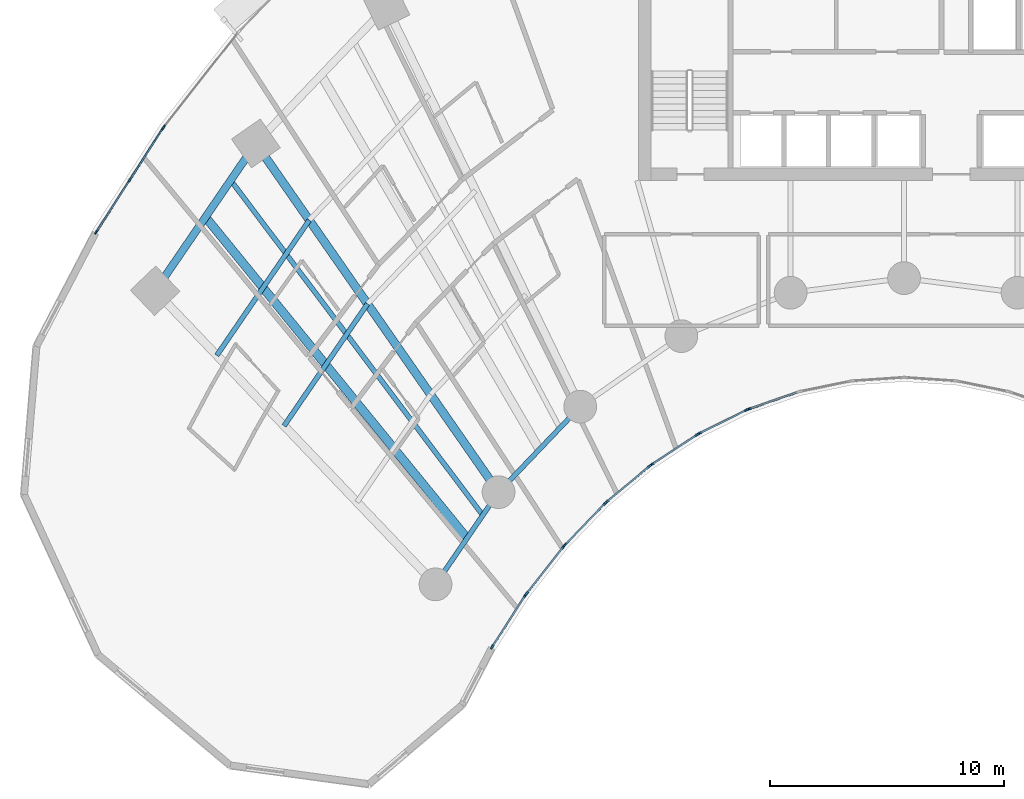
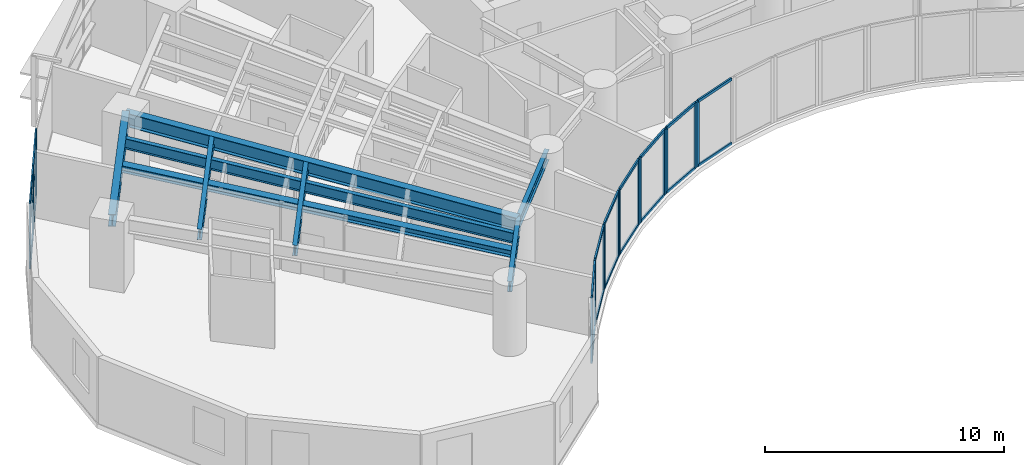
# One storey, part 2 of 18: 37 members, 8 beams, 9 elements without a shape of their own.
"""IFC4 building model written with IfcOpenShell, lengths in metres."""

from ifc_helpers import new_model, si_unit, direction, frame, origin, origin_2d, place, context, subcontext, project, spatial, rectangle, i_section, extrude, source, transform, mapped, material, layer, layer_set, material_profile, profile_set, type_object, type_shapes, element, aggregate, save


model = new_model("IFC4")

# Units and contexts
model_context = context("Model", 3, precision=1e-05, world=origin(), true_north=direction((0.0, 1.0)))
body_context = subcontext(model_context, "Body", "Model", "MODEL_VIEW")
ifc_project = project(units=[si_unit("LENGTHUNIT", "METRE"), si_unit("AREAUNIT", "SQUARE_METRE"), si_unit("VOLUMEUNIT", "CUBIC_METRE"), si_unit("PLANEANGLEUNIT", "RADIAN"), si_unit("MASSUNIT", "GRAM", prefix="KILO")], contexts=[model_context])

# Site, building, storey
site_placement = place(None, origin())
site = spatial("IfcSite", under=ifc_project, at=site_placement, CompositionType="ELEMENT")
building_placement = place(site_placement, origin())
building = spatial("IfcBuilding", under=site, at=building_placement, Name="Breltana Convention Tower", CompositionType="ELEMENT")
storey_placement = place(building_placement, frame((0.0, 0.0, 42.60009765625)))
storey = spatial("IfcBuildingStorey", under=building, at=storey_placement, Name="L08", CompositionType="ELEMENT", Elevation=42.60009765625)

# Beams
ifc_material_1 = material(Name="Steel ASTM A992 Grade 50", Category="steel")
ifc_material_profile_1 = material_profile(ifc_material_1, i_section(OverallWidth=0.323974609375, OverallDepth=0.611083984375, WebThickness=0.0126953125, FlangeThickness=0.01904296875, at=origin_2d()), Name="W24X104")
ifc_profile_set_1 = profile_set([ifc_material_profile_1], Name="Steel ASTM A992 Grade 50")
beam_type_1 = type_object("IfcBeamType", Name="BM-SP-W24X104", PredefinedType="SPANDREL", material=ifc_profile_set_1)
shared_shape_1 = source(origin(), body_context, "Body", "SweptSolid", [
    extrude(i_section(OverallWidth=0.323974609375, OverallDepth=0.611083984375, WebThickness=0.0126953125, FlangeThickness=0.01904296875, at=origin_2d()), origin(), (0.0, 0.0, 1.0), 7.625),
])
type_shapes(beam_type_1, [shared_shape_1])
beam_1_placement = place(storey_placement, frame((16.0068359375, 55.494384765625, 3.054443359375), z_axis=(0.564452031902, 0.825465870694, 0.0), x_axis=(-0.825465870694, 0.564452031902, 0.0)))
element("IfcBeam", 1, at=beam_1_placement, inside=storey, type_object=beam_type_1, Name="L08 Outer Spandrel Beam 01", PredefinedType="SPANDREL", context=body_context, shape_type="MappedRepresentation", body=[
    mapped(shared_shape_1, transform((0.0, 0.0, 0.0), scale=1.0)),
])
ifc_material_profile_2 = material_profile(ifc_material_1, i_section(OverallWidth=0.35498046875, OverallDepth=0.696044921875, WebThickness=0.015380859375, FlangeThickness=0.02490234375, at=origin_2d()), Name="W27X146")
ifc_profile_set_2 = profile_set([ifc_material_profile_2], Name="Steel ASTM A992 Grade 50")
beam_type_2 = type_object("IfcBeamType", Name="BM-RG-W27X146", PredefinedType="USERDEFINED", material=ifc_profile_set_2)
shared_shape_2 = source(origin(), body_context, "Body", "SweptSolid", [
    extrude(i_section(OverallWidth=0.35498046875, OverallDepth=0.696044921875, WebThickness=0.015380859375, FlangeThickness=0.02490234375, at=origin_2d()), origin(), (0.0, 0.0, 1.0), 18.1484375),
])
beam_2_placement = place(storey_placement, frame((30.67724609375, 46.892333984375, 3.011962890625), z_axis=(-0.571207556098, 0.820805657788, 0.0), x_axis=(-0.820805657788, -0.571207556098, 0.0)))
element("IfcBeam", 2, at=beam_2_placement, inside=storey, type_object=beam_type_2, Name="L08 Radial Floor Girder R02", ObjectType="GIRDER", PredefinedType="USERDEFINED", context=body_context, shape_type="MappedRepresentation", body=[
    mapped(shared_shape_2, transform((0.0, 0.0, 0.0), scale=1.0)),
])
ifc_material_profile_3 = material_profile(ifc_material_1, i_section(OverallWidth=0.2099609375, OverallDepth=0.537109375, WebThickness=0.010986328125, FlangeThickness=0.017333984375, at=origin_2d()), Name="W21X68")
ifc_profile_set_3 = profile_set([ifc_material_profile_3], Name="Steel ASTM A992 Grade 50")
beam_type_3 = type_object("IfcBeamType", Name="BM-BM-W21X68", PredefinedType="BEAM", material=ifc_profile_set_3)
shared_shape_3 = source(origin(), body_context, "Body", "SweptSolid", [
    extrude(i_section(OverallWidth=0.2099609375, OverallDepth=0.537109375, WebThickness=0.010986328125, FlangeThickness=0.017333984375, at=origin_2d()), origin(), (0.0, 0.0, 1.0), 4.770263671875),
])
beam_3_placement = place(storey_placement, frame((27.984619140625, 42.95458984375, 3.09130859375), z_axis=(0.564452719055, 0.82546540082, 0.0), x_axis=(-0.82546540082, 0.564452719055, 0.0)))
element("IfcBeam", 3, at=beam_3_placement, inside=storey, type_object=beam_type_3, Name="L08 Inner Ring Beam 01", PredefinedType="BEAM", context=body_context, shape_type="MappedRepresentation", body=[
    mapped(shared_shape_3, transform((0.0, 0.0, 0.0), scale=1.0)),
])
shared_shape_4 = source(origin(), body_context, "Body", "SweptSolid", [
    extrude(i_section(OverallWidth=0.2099609375, OverallDepth=0.537109375, WebThickness=0.010986328125, FlangeThickness=0.017333984375, at=origin_2d()), origin(), (0.0, 0.0, 1.0), 5.05126953125),
])
beam_4_placement = place(storey_placement, frame((30.67724609375, 46.892333984375, 3.09130859375), z_axis=(0.690729753845, 0.7231129975, 0.0), x_axis=(-0.7231129975, 0.690729753845, 0.0)))
element("IfcBeam", 4, at=beam_4_placement, inside=storey, type_object=beam_type_3, Name="L08 Inner Ring Beam 02", PredefinedType="BEAM", context=body_context, shape_type="MappedRepresentation", body=[
    mapped(shared_shape_4, transform((0.0, 0.0, 0.0), scale=1.0)),
])
ifc_material_profile_4 = material_profile(ifc_material_1, i_section(OverallWidth=0.2099609375, OverallDepth=0.537109375, WebThickness=0.010986328125, FlangeThickness=0.017333984375, at=origin_2d()), Name="W21X68")
ifc_profile_set_4 = profile_set([ifc_material_profile_4], Name="Steel ASTM A992 Grade 50")
beam_type_4 = type_object("IfcBeamType", Name="BM-JSG-04", PredefinedType="JOIST", material=ifc_profile_set_4)
shared_shape_5 = source(origin(), body_context, "Body", "SweptSolid", [
    extrude(i_section(OverallWidth=0.2099609375, OverallDepth=0.537109375, WebThickness=0.010986328125, FlangeThickness=0.017333984375, at=origin_2d()), origin(), (0.0, 0.0, 1.0), 6.311767578125),
])
beam_5_placement = place(storey_placement, frame((21.5166015625, 49.72607421875, 3.09130859375), z_axis=(0.564453712577, 0.825464721449, 0.0), x_axis=(-0.825464721449, 0.564453712577, 0.0)))
element("IfcBeam", 5, at=beam_5_placement, inside=storey, type_object=beam_type_4, Name="L08 Composite Floor Joist 01.2", PredefinedType="JOIST", context=body_context, shape_type="MappedRepresentation", body=[
    mapped(shared_shape_5, transform((0.0, 0.0, 0.0), scale=1.0)),
])
shared_shape_6 = source(origin(), body_context, "Body", "SweptSolid", [
    extrude(i_section(OverallWidth=0.2099609375, OverallDepth=0.537109375, WebThickness=0.010986328125, FlangeThickness=0.017333984375, at=origin_2d()), origin(), (0.0, 0.0, 1.0), 6.997314453125),
])
beam_6_placement = place(storey_placement, frame((18.641845703125, 52.735595703125, 3.09130859375), z_axis=(0.564468756361, 0.825454434292, 0.0), x_axis=(-0.825454434292, 0.564468756361, 0.0)))
element("IfcBeam", 6, at=beam_6_placement, inside=storey, type_object=beam_type_4, Name="L08 Composite Floor Joist 01.3", PredefinedType="JOIST", context=body_context, shape_type="MappedRepresentation", body=[
    mapped(shared_shape_6, transform((0.0, 0.0, 0.0), scale=1.0)),
])
ifc_material_profile_5 = material_profile(ifc_material_1, i_section(OverallWidth=0.368896484375, OverallDepth=0.35595703125, WebThickness=0.01123046875, FlangeThickness=0.01806640625, at=origin_2d()), Name="W14X90")
ifc_profile_set_5 = profile_set([ifc_material_profile_5], Name="Steel ASTM A992 Grade 50")
beam_type_5 = type_object("IfcBeamType", Name="BM-JSG-09", PredefinedType="JOIST", material=ifc_profile_set_5)
shared_shape_7 = source(origin(), body_context, "Body", "SweptSolid", [
    extrude(i_section(OverallWidth=0.368896484375, OverallDepth=0.35595703125, WebThickness=0.01123046875, FlangeThickness=0.01806640625, at=origin_2d()), origin(), (0.0, 0.0, 1.0), 17.691650390625),
])
type_shapes(beam_type_5, [shared_shape_7])
beam_7_placement = place(storey_placement, frame((29.330810546875, 44.923583984375, 3.181884765625), z_axis=(-0.631476958478, 0.775394642044, 0.0), x_axis=(-0.775394642044, -0.631476958478, 0.0)))
element("IfcBeam", 7, at=beam_7_placement, inside=storey, type_object=beam_type_5, Name="L08 Mid-Bay Radial Trimmer 01", PredefinedType="JOIST", context=body_context, shape_type="MappedRepresentation", body=[
    mapped(shared_shape_7, transform((0.0, 0.0, 0.0), scale=1.0)),
])
shared_shape_8 = source(origin(), body_context, "Body", "SweptSolid", [
    extrude(i_section(OverallWidth=0.2099609375, OverallDepth=0.537109375, WebThickness=0.010986328125, FlangeThickness=0.017333984375, at=origin_2d()), origin(), (0.0, 0.0, 1.0), 17.9072265625),
])
beam_8_placement = place(storey_placement, frame((30.00390625, 45.907958984375, 3.09130859375), z_axis=(-0.601382105028, 0.798961553363, 0.0), x_axis=(-0.798961553363, -0.601382105028, 0.0)))
element("IfcBeam", 8, at=beam_8_placement, inside=storey, type_object=beam_type_4, Name="L08 Quarter-Bay Radial Trimmer 01", PredefinedType="JOIST", context=body_context, shape_type="MappedRepresentation", body=[
    mapped(shared_shape_8, transform((0.0, 0.0, 0.0), scale=1.0)),
])

# Curtain wall, members
ifc_material_2 = material(Name="Aluminium Anodised Bronze Frame", Category="aluminium")
ifc_layer_1 = layer(ifc_material_2, 0.18994140625, Name="Aluminium Anodised Bronze Frame")
ifc_layer_set_1 = layer_set([ifc_layer_1], Name="Aluminium Anodised Bronze Frame")
curtain_wall_type_1 = type_object("IfcCurtainWallType", Name="CW-SYS-1", PredefinedType="NOTDEFINED", material=ifc_layer_set_1)
curtain_wall_1_placement = place(storey_placement, origin())
curtain_wall_1 = element("IfcCurtainWall", 9, at=curtain_wall_1_placement, inside=storey, type_object=curtain_wall_type_1, Name="L08 inner south-court glazing 16", PredefinedType="NOTDEFINED")
ifc_material_3 = material(Name="Aluminium Anodised Bronze", Category="aluminium")
ifc_material_profile_6 = material_profile(ifc_material_3, rectangle(XDim=0.080078125, YDim=0.139892578125, at=origin_2d()), Name="CWT-80X140")
ifc_profile_set_6 = profile_set([ifc_material_profile_6], Name="Aluminium Anodised Bronze")
member_type_1 = type_object("IfcMemberType", Name="CWT-140", PredefinedType="USERDEFINED", material=ifc_profile_set_6)
shared_shape_9 = source(origin(), body_context, "Body", "SweptSolid", [
    extrude(rectangle(XDim=0.080078125, YDim=0.139892578125, at=origin_2d()), origin(), (0.0, 0.0, 1.0), 2.38720703125),
])
type_shapes(member_type_1, [shared_shape_9])
member_1_placement = place(storey_placement, frame((35.2021484375, 46.385009765625, 0.039794921875), z_axis=(-0.694623715393, -0.719373264734, 0.0), x_axis=(0.719373264734, -0.694623715393, 0.0)))
member_1 = element("IfcMember", 10, at=member_1_placement, type_object=member_type_1, Name="CW-01 transom 1.1", ObjectType="TRANSOM", PredefinedType="USERDEFINED", context=body_context, shape_type="MappedRepresentation", body=[
    mapped(shared_shape_9, transform((0.0, 0.0, 0.0), scale=1.0)),
])
member_2_placement = place(storey_placement, frame((35.2021484375, 46.385009765625, 3.31982421875), z_axis=(-0.694623715393, -0.719373264734, 0.0), x_axis=(0.719373264734, -0.694623715393, 0.0)))
member_2 = element("IfcMember", 11, at=member_2_placement, type_object=member_type_1, Name="CW-01 transom 1.2", ObjectType="TRANSOM", PredefinedType="USERDEFINED", context=body_context, shape_type="MappedRepresentation", body=[
    mapped(shared_shape_9, transform((0.0, 0.0, 0.0), scale=1.0)),
])

curtain_wall_2_placement = place(storey_placement, origin())
curtain_wall_2 = element("IfcCurtainWall", 12, at=curtain_wall_2_placement, inside=storey, type_object=curtain_wall_type_1, Name="L08 inner south-court glazing 15", PredefinedType="NOTDEFINED")
shared_shape_10 = source(origin(), body_context, "Body", "SweptSolid", [
    extrude(rectangle(XDim=0.080078125, YDim=0.139892578125, at=origin_2d()), origin(), (0.0, 0.0, 1.0), 2.312255859375),
])
member_3_placement = place(storey_placement, frame((37.10888671875, 47.988037109375, 0.039794921875), z_axis=(-0.767900974507, -0.640568570374, 0.0), x_axis=(0.640568570374, -0.767900974507, 0.0)))
member_3 = element("IfcMember", 13, at=member_3_placement, type_object=member_type_1, Name="CW-01 transom 1.1", ObjectType="TRANSOM", PredefinedType="USERDEFINED", context=body_context, shape_type="MappedRepresentation", body=[
    mapped(shared_shape_10, transform((0.0, 0.0, 0.0), scale=1.0)),
])
member_4_placement = place(storey_placement, frame((37.10888671875, 47.988037109375, 3.31982421875), z_axis=(-0.767900974507, -0.640568570374, 0.0), x_axis=(0.640568570374, -0.767900974507, 0.0)))
member_4 = element("IfcMember", 14, at=member_4_placement, type_object=member_type_1, Name="CW-01 transom 1.2", ObjectType="TRANSOM", PredefinedType="USERDEFINED", context=body_context, shape_type="MappedRepresentation", body=[
    mapped(shared_shape_10, transform((0.0, 0.0, 0.0), scale=1.0)),
])

curtain_wall_3_placement = place(storey_placement, origin())
curtain_wall_3 = element("IfcCurtainWall", 15, at=curtain_wall_3_placement, inside=storey, type_object=curtain_wall_type_1, Name="L08 inner south-court glazing 14", PredefinedType="NOTDEFINED")
shared_shape_11 = source(origin(), body_context, "Body", "SweptSolid", [
    extrude(rectangle(XDim=0.080078125, YDim=0.139892578125, at=origin_2d()), origin(), (0.0, 0.0, 1.0), 2.2421875),
])
member_5_placement = place(storey_placement, frame((39.128173828125, 49.325927734375, 0.039794921875), z_axis=(-0.835982353773, -0.548756324957, 0.0), x_axis=(0.548756324957, -0.835982353773, 0.0)))
member_5 = element("IfcMember", 16, at=member_5_placement, type_object=member_type_1, Name="CW-01 transom 1.1", ObjectType="TRANSOM", PredefinedType="USERDEFINED", context=body_context, shape_type="MappedRepresentation", body=[
    mapped(shared_shape_11, transform((0.0, 0.0, 0.0), scale=1.0)),
])
member_6_placement = place(storey_placement, frame((39.128173828125, 49.325927734375, 3.31982421875), z_axis=(-0.835982353773, -0.548756324957, 0.0), x_axis=(0.548756324957, -0.835982353773, 0.0)))
member_6 = element("IfcMember", 17, at=member_6_placement, type_object=member_type_1, Name="CW-01 transom 1.2", ObjectType="TRANSOM", PredefinedType="USERDEFINED", context=body_context, shape_type="MappedRepresentation", body=[
    mapped(shared_shape_11, transform((0.0, 0.0, 0.0), scale=1.0)),
])

curtain_wall_4_placement = place(storey_placement, origin())
curtain_wall_4 = element("IfcCurtainWall", 18, at=curtain_wall_4_placement, inside=storey, type_object=curtain_wall_type_1, Name="L08 inner south-court glazing 13", PredefinedType="NOTDEFINED")
shared_shape_12 = source(origin(), body_context, "Body", "SweptSolid", [
    extrude(rectangle(XDim=0.080078125, YDim=0.139892578125, at=origin_2d()), origin(), (0.0, 0.0, 1.0), 2.180908203125),
])
member_7_placement = place(storey_placement, frame((41.239501953125, 50.384765625, 0.039794921875), z_axis=(-0.895922266369, -0.444210865045, 0.0), x_axis=(0.444210865045, -0.895922266369, 0.0)))
member_7 = element("IfcMember", 19, at=member_7_placement, type_object=member_type_1, Name="CW-01 transom 1.1", ObjectType="TRANSOM", PredefinedType="USERDEFINED", context=body_context, shape_type="MappedRepresentation", body=[
    mapped(shared_shape_12, transform((0.0, 0.0, 0.0), scale=1.0)),
])
member_8_placement = place(storey_placement, frame((41.239501953125, 50.384765625, 3.31982421875), z_axis=(-0.895922266369, -0.444210865045, 0.0), x_axis=(0.444210865045, -0.895922266369, 0.0)))
member_8 = element("IfcMember", 20, at=member_8_placement, type_object=member_type_1, Name="CW-01 transom 1.2", ObjectType="TRANSOM", PredefinedType="USERDEFINED", context=body_context, shape_type="MappedRepresentation", body=[
    mapped(shared_shape_12, transform((0.0, 0.0, 0.0), scale=1.0)),
])

curtain_wall_5_placement = place(storey_placement, origin())
curtain_wall_5 = element("IfcCurtainWall", 21, at=curtain_wall_5_placement, inside=storey, type_object=curtain_wall_type_1, Name="L08 inner south-court glazing 17", PredefinedType="NOTDEFINED")
shared_shape_13 = source(origin(), body_context, "Body", "SweptSolid", [
    extrude(rectangle(XDim=0.080078125, YDim=0.139892578125, at=origin_2d()), origin(), (0.0, 0.0, 1.0), 2.4638671875),
])
member_9_placement = place(storey_placement, frame((33.427001953125, 44.533447265625, 0.039794921875), z_axis=(-0.618184689608, -0.786032880695, 0.0), x_axis=(0.786032880695, -0.618184689608, 0.0)))
member_9 = element("IfcMember", 22, at=member_9_placement, type_object=member_type_1, Name="CW-01 transom 1.1", ObjectType="TRANSOM", PredefinedType="USERDEFINED", context=body_context, shape_type="MappedRepresentation", body=[
    mapped(shared_shape_13, transform((0.0, 0.0, 0.0), scale=1.0)),
])
member_10_placement = place(storey_placement, frame((33.427001953125, 44.533447265625, 3.31982421875), z_axis=(-0.618184689608, -0.786032880695, 0.0), x_axis=(0.786032880695, -0.618184689608, 0.0)))
member_10 = element("IfcMember", 23, at=member_10_placement, type_object=member_type_1, Name="CW-01 transom 1.2", ObjectType="TRANSOM", PredefinedType="USERDEFINED", context=body_context, shape_type="MappedRepresentation", body=[
    mapped(shared_shape_13, transform((0.0, 0.0, 0.0), scale=1.0)),
])

curtain_wall_6_placement = place(storey_placement, origin())
curtain_wall_6 = element("IfcCurtainWall", 24, at=curtain_wall_6_placement, inside=storey, type_object=curtain_wall_type_1, Name="L08 inner south-court glazing 18", PredefinedType="NOTDEFINED")
shared_shape_14 = source(origin(), body_context, "Body", "SweptSolid", [
    extrude(rectangle(XDim=0.080078125, YDim=0.139892578125, at=origin_2d()), origin(), (0.0, 0.0, 1.0), 2.53955078125),
])
member_11_placement = place(storey_placement, frame((31.801025390625, 42.452392578125, 0.039794921875), z_axis=(-0.540174413174, -0.841553090038, 0.0), x_axis=(0.841553090038, -0.540174413174, 0.0)))
member_11 = element("IfcMember", 25, at=member_11_placement, type_object=member_type_1, Name="CW-01 transom 1.1", ObjectType="TRANSOM", PredefinedType="USERDEFINED", context=body_context, shape_type="MappedRepresentation", body=[
    mapped(shared_shape_14, transform((0.0, 0.0, 0.0), scale=1.0)),
])
member_12_placement = place(storey_placement, frame((31.801025390625, 42.452392578125, 3.31982421875), z_axis=(-0.540174413174, -0.841553090038, 0.0), x_axis=(0.841553090038, -0.540174413174, 0.0)))
member_12 = element("IfcMember", 26, at=member_12_placement, type_object=member_type_1, Name="CW-01 transom 1.2", ObjectType="TRANSOM", PredefinedType="USERDEFINED", context=body_context, shape_type="MappedRepresentation", body=[
    mapped(shared_shape_14, transform((0.0, 0.0, 0.0), scale=1.0)),
])

curtain_wall_7_placement = place(storey_placement, origin())
curtain_wall_7 = element("IfcCurtainWall", 27, at=curtain_wall_7_placement, inside=storey, type_object=curtain_wall_type_1, Name="L08 inner south-court glazing 12", PredefinedType="NOTDEFINED")
shared_shape_15 = source(origin(), body_context, "Body", "SweptSolid", [
    extrude(rectangle(XDim=0.080078125, YDim=0.139892578125, at=origin_2d()), origin(), (0.0, 0.0, 1.0), 2.131103515625),
])
member_13_placement = place(storey_placement, frame((43.421630859375, 51.153076171875, 0.039794921875), z_axis=(-0.944847069856, -0.327511854112, 0.0), x_axis=(0.327511854112, -0.944847069856, 0.0)))
member_13 = element("IfcMember", 28, at=member_13_placement, type_object=member_type_1, Name="CW-01 transom 1.1", ObjectType="TRANSOM", PredefinedType="USERDEFINED", context=body_context, shape_type="MappedRepresentation", body=[
    mapped(shared_shape_15, transform((0.0, 0.0, 0.0), scale=1.0)),
])
member_14_placement = place(storey_placement, frame((43.421630859375, 51.153076171875, 3.31982421875), z_axis=(-0.944847069856, -0.327511854112, 0.0), x_axis=(0.327511854112, -0.944847069856, 0.0)))
member_14 = element("IfcMember", 29, at=member_14_placement, type_object=member_type_1, Name="CW-01 transom 1.2", ObjectType="TRANSOM", PredefinedType="USERDEFINED", context=body_context, shape_type="MappedRepresentation", body=[
    mapped(shared_shape_15, transform((0.0, 0.0, 0.0), scale=1.0)),
])

ifc_layer_2 = layer(ifc_material_2, 0.199951171875, Name="Aluminium Anodised Bronze Frame")
ifc_layer_set_2 = layer_set([ifc_layer_2], Name="Aluminium Anodised Bronze Frame")
curtain_wall_type_2 = type_object("IfcCurtainWallType", Name="CW-SYS-2", PredefinedType="NOTDEFINED", material=ifc_layer_set_2)
curtain_wall_8_placement = place(storey_placement, origin())
curtain_wall_8 = element("IfcCurtainWall", 30, at=curtain_wall_8_placement, inside=storey, type_object=curtain_wall_type_2, Name="L08 outer double-skin inner glazing 1", PredefinedType="NOTDEFINED")
ifc_material_profile_7 = material_profile(ifc_material_3, rectangle(XDim=0.070068359375, YDim=0.1201171875, at=origin_2d()), Name="CWT-70X120")
ifc_profile_set_7 = profile_set([ifc_material_profile_7], Name="Aluminium Anodised Bronze")
member_type_2 = type_object("IfcMemberType", Name="CWT-120", PredefinedType="USERDEFINED", material=ifc_profile_set_7)
shared_shape_16 = source(origin(), body_context, "Body", "SweptSolid", [
    extrude(rectangle(XDim=0.070068359375, YDim=0.1201171875, at=origin_2d()), origin(), (0.0, 0.0, 1.0), 2.56787109375),
])
type_shapes(member_type_2, [shared_shape_16])
member_15_placement = place(storey_placement, frame((13.505859375, 58.0234375, 0.034912109375), z_axis=(0.54022409371, 0.841521199124, 0.0), x_axis=(-0.841521199124, 0.54022409371, 0.0)))
member_15 = element("IfcMember", 31, at=member_15_placement, type_object=member_type_2, Name="CW-02 transom 1.1", ObjectType="TRANSOM", PredefinedType="USERDEFINED", context=body_context, shape_type="MappedRepresentation", body=[
    mapped(shared_shape_16, transform((0.0, 0.0, 0.0), scale=1.0)),
])
member_16_placement = place(storey_placement, frame((13.505859375, 58.0234375, 2.183837890625), z_axis=(0.54022409371, 0.841521199124, 0.0), x_axis=(-0.841521199124, 0.54022409371, 0.0)))
member_16 = element("IfcMember", 32, at=member_16_placement, type_object=member_type_2, Name="CW-02 transom 1.2", ObjectType="TRANSOM", PredefinedType="USERDEFINED", context=body_context, shape_type="MappedRepresentation", body=[
    mapped(shared_shape_16, transform((0.0, 0.0, 0.0), scale=1.0)),
])
member_17_placement = place(storey_placement, frame((13.505859375, 58.0234375, 3.324951171875), z_axis=(0.54022409371, 0.841521199124, 0.0), x_axis=(-0.841521199124, 0.54022409371, 0.0)))
member_17 = element("IfcMember", 33, at=member_17_placement, type_object=member_type_2, Name="CW-02 transom 1.3", ObjectType="TRANSOM", PredefinedType="USERDEFINED", context=body_context, shape_type="MappedRepresentation", body=[
    mapped(shared_shape_16, transform((0.0, 0.0, 0.0), scale=1.0)),
])
member_18_placement = place(storey_placement, frame((14.930908203125, 60.2431640625, 0.034912109375), z_axis=(0.540113540427, 0.841592159806, 0.0), x_axis=(-0.841592159806, 0.540113540427, 0.0)))
member_18 = element("IfcMember", 34, at=member_18_placement, type_object=member_type_2, Name="CW-02 transom 2.1", ObjectType="TRANSOM", PredefinedType="USERDEFINED", context=body_context, shape_type="MappedRepresentation", body=[
    mapped(shared_shape_16, transform((0.0, 0.0, 0.0), scale=1.0)),
])
member_19_placement = place(storey_placement, frame((14.930908203125, 60.2431640625, 2.183837890625), z_axis=(0.540113540427, 0.841592159806, 0.0), x_axis=(-0.841592159806, 0.540113540427, 0.0)))
member_19 = element("IfcMember", 35, at=member_19_placement, type_object=member_type_2, Name="CW-02 transom 2.2", ObjectType="TRANSOM", PredefinedType="USERDEFINED", context=body_context, shape_type="MappedRepresentation", body=[
    mapped(shared_shape_16, transform((0.0, 0.0, 0.0), scale=1.0)),
])
member_20_placement = place(storey_placement, frame((14.930908203125, 60.2431640625, 3.324951171875), z_axis=(0.540113540427, 0.841592159806, 0.0), x_axis=(-0.841592159806, 0.540113540427, 0.0)))
member_20 = element("IfcMember", 36, at=member_20_placement, type_object=member_type_2, Name="CW-02 transom 2.3", ObjectType="TRANSOM", PredefinedType="USERDEFINED", context=body_context, shape_type="MappedRepresentation", body=[
    mapped(shared_shape_16, transform((0.0, 0.0, 0.0), scale=1.0)),
])

# Member
ifc_material_profile_8 = material_profile(ifc_material_3, rectangle(XDim=0.080078125, YDim=0.199951171875, at=origin_2d()), Name="CWM-80X200")
ifc_profile_set_8 = profile_set([ifc_material_profile_8], Name="Aluminium Anodised Bronze")
member_type_3 = type_object("IfcMemberType", Name="CWM-200", PredefinedType="MULLION", material=ifc_profile_set_8)
shared_shape_17 = source(origin(), body_context, "Body", "SweptSolid", [
    extrude(rectangle(XDim=0.080078125, YDim=0.199951171875, at=origin_2d()), origin(), (0.0, 0.0, 1.0), 3.35986328125),
])
member_21_placement = place(storey_placement, frame((41.3701171875, 50.442138671875, 0.0), z_axis=(0.0, 0.0, 1.0), x_axis=(0.327413341714, -0.944881211406, 0.0)))
member_21 = element("IfcMember", 37, at=member_21_placement, type_object=member_type_3, Name="CW-01 mullion 2", PredefinedType="MULLION", context=body_context, shape_type="MappedRepresentation", body=[
    mapped(shared_shape_17, transform((0.0, 0.0, 0.0), scale=1.0)),
])

aggregate(curtain_wall_7, [member_21, member_13, member_14])

member_22_placement = place(storey_placement, frame((41.275390625, 50.40234375, 0.0), z_axis=(0.0, 0.0, 1.0), x_axis=(0.444117987602, -0.895968310315, 0.0)))
member_22 = element("IfcMember", 38, at=member_22_placement, type_object=member_type_3, Name="CW-01 mullion 1", PredefinedType="MULLION", context=body_context, shape_type="MappedRepresentation", body=[
    mapped(shared_shape_17, transform((0.0, 0.0, 0.0), scale=1.0)),
])

member_23_placement = place(storey_placement, frame((39.249755859375, 49.3984375, 0.0), z_axis=(0.0, 0.0, 1.0), x_axis=(0.444117987602, -0.895968310315, 0.0)))
member_23 = element("IfcMember", 39, at=member_23_placement, type_object=member_type_3, Name="CW-01 mullion 2", PredefinedType="MULLION", context=body_context, shape_type="MappedRepresentation", body=[
    mapped(shared_shape_17, transform((0.0, 0.0, 0.0), scale=1.0)),
])

aggregate(curtain_wall_4, [member_22, member_23, member_7, member_8])

member_24_placement = place(storey_placement, frame((39.16162109375, 49.347900390625, 0.0), z_axis=(0.0, 0.0, 1.0), x_axis=(0.548778278441, -0.835967942634, 0.0)))
member_24 = element("IfcMember", 40, at=member_24_placement, type_object=member_type_3, Name="CW-01 mullion 1", PredefinedType="MULLION", context=body_context, shape_type="MappedRepresentation", body=[
    mapped(shared_shape_17, transform((0.0, 0.0, 0.0), scale=1.0)),
])

member_25_placement = place(storey_placement, frame((37.220458984375, 48.073486328125, 0.0), z_axis=(0.0, 0.0, 1.0), x_axis=(0.548778278441, -0.835967942634, 0.0)))
member_25 = element("IfcMember", 41, at=member_25_placement, type_object=member_type_3, Name="CW-01 mullion 2", PredefinedType="MULLION", context=body_context, shape_type="MappedRepresentation", body=[
    mapped(shared_shape_17, transform((0.0, 0.0, 0.0), scale=1.0)),
])

aggregate(curtain_wall_3, [member_24, member_25, member_5, member_6])

member_26_placement = place(storey_placement, frame((37.1396484375, 48.013671875, 0.0), z_axis=(0.0, 0.0, 1.0), x_axis=(0.640522524458, -0.767939382804, 0.0)))
member_26 = element("IfcMember", 42, at=member_26_placement, type_object=member_type_3, Name="CW-01 mullion 1", PredefinedType="MULLION", context=body_context, shape_type="MappedRepresentation", body=[
    mapped(shared_shape_17, transform((0.0, 0.0, 0.0), scale=1.0)),
])

member_27_placement = place(storey_placement, frame((35.302734375, 46.481201171875, 0.0), z_axis=(0.0, 0.0, 1.0), x_axis=(0.640522524458, -0.767939382804, 0.0)))
member_27 = element("IfcMember", 43, at=member_27_placement, type_object=member_type_3, Name="CW-01 mullion 2", PredefinedType="MULLION", context=body_context, shape_type="MappedRepresentation", body=[
    mapped(shared_shape_17, transform((0.0, 0.0, 0.0), scale=1.0)),
])

aggregate(curtain_wall_2, [member_26, member_27, member_3, member_4])

member_28_placement = place(storey_placement, frame((35.22998046875, 46.413818359375, 0.0), z_axis=(0.0, 0.0, 1.0), x_axis=(0.719384548773, -0.694612029111, 0.0)))
member_28 = element("IfcMember", 44, at=member_28_placement, type_object=member_type_3, Name="CW-01 mullion 1", PredefinedType="MULLION", context=body_context, shape_type="MappedRepresentation", body=[
    mapped(shared_shape_17, transform((0.0, 0.0, 0.0), scale=1.0)),
])

member_29_placement = place(storey_placement, frame((33.51611328125, 44.638916015625, 0.0), z_axis=(0.0, 0.0, 1.0), x_axis=(0.719384548773, -0.694612029111, 0.0)))
member_29 = element("IfcMember", 45, at=member_29_placement, type_object=member_type_3, Name="CW-01 mullion 2", PredefinedType="MULLION", context=body_context, shape_type="MappedRepresentation", body=[
    mapped(shared_shape_17, transform((0.0, 0.0, 0.0), scale=1.0)),
])

aggregate(curtain_wall_1, [member_28, member_29, member_1, member_2])

member_30_placement = place(storey_placement, frame((33.45166015625, 44.56494140625, 0.0), z_axis=(0.0, 0.0, 1.0), x_axis=(0.786057762734, -0.61815305034, 0.0)))
member_30 = element("IfcMember", 46, at=member_30_placement, type_object=member_type_3, Name="CW-01 mullion 1", PredefinedType="MULLION", context=body_context, shape_type="MappedRepresentation", body=[
    mapped(shared_shape_17, transform((0.0, 0.0, 0.0), scale=1.0)),
])

member_31_placement = place(storey_placement, frame((31.87890625, 42.565185546875, 0.0), z_axis=(0.0, 0.0, 1.0), x_axis=(0.786057762734, -0.61815305034, 0.0)))
member_31 = element("IfcMember", 47, at=member_31_placement, type_object=member_type_3, Name="CW-01 mullion 2", PredefinedType="MULLION", context=body_context, shape_type="MappedRepresentation", body=[
    mapped(shared_shape_17, transform((0.0, 0.0, 0.0), scale=1.0)),
])

aggregate(curtain_wall_5, [member_30, member_31, member_9, member_10])

member_32_placement = place(storey_placement, frame((31.82275390625, 42.48583984375, 0.0), z_axis=(0.0, 0.0, 1.0), x_axis=(0.841556194767, -0.540169576197, 0.0)))
member_32 = element("IfcMember", 48, at=member_32_placement, type_object=member_type_3, Name="CW-01 mullion 1", PredefinedType="MULLION", context=body_context, shape_type="MappedRepresentation", body=[
    mapped(shared_shape_17, transform((0.0, 0.0, 0.0), scale=1.0)),
])

member_33_placement = place(storey_placement, frame((30.40771484375, 40.281494140625, 0.0), z_axis=(0.0, 0.0, 1.0), x_axis=(0.841556194767, -0.540169576197, 0.0)))
member_33 = element("IfcMember", 49, at=member_33_placement, type_object=member_type_3, Name="CW-01 mullion 2", PredefinedType="MULLION", context=body_context, shape_type="MappedRepresentation", body=[
    mapped(shared_shape_17, transform((0.0, 0.0, 0.0), scale=1.0)),
])

aggregate(curtain_wall_6, [member_32, member_33, member_11, member_12])

ifc_material_profile_9 = material_profile(ifc_material_3, rectangle(XDim=0.070068359375, YDim=0.175048828125, at=origin_2d()), Name="CWM-70X175")
ifc_profile_set_9 = profile_set([ifc_material_profile_9], Name="Aluminium Anodised Bronze")
member_type_4 = type_object("IfcMemberType", Name="CWM-175", PredefinedType="MULLION", material=ifc_profile_set_9)
shared_shape_18 = source(origin(), body_context, "Body", "SweptSolid", [
    extrude(rectangle(XDim=0.070068359375, YDim=0.175048828125, at=origin_2d()), origin(), (0.0, 0.0, 1.0), 3.35986328125),
])
member_34_placement = place(storey_placement, frame((13.487060546875, 57.993896484375, 0.0), z_axis=(0.0, 0.0, 1.0), x_axis=(-0.841549039154, 0.540180724109, 0.0)))
member_34 = element("IfcMember", 50, at=member_34_placement, type_object=member_type_4, Name="CW-02 mullion 1", PredefinedType="MULLION", context=body_context, shape_type="MappedRepresentation", body=[
    mapped(shared_shape_18, transform((0.0, 0.0, 0.0), scale=1.0)),
])

member_35_placement = place(storey_placement, frame((14.911865234375, 60.2138671875, 0.0), z_axis=(0.0, 0.0, 1.0), x_axis=(-0.841549039154, 0.540180724109, 0.0)))
member_35 = element("IfcMember", 51, at=member_35_placement, type_object=member_type_4, Name="CW-02 mullion 2", PredefinedType="MULLION", context=body_context, shape_type="MappedRepresentation", body=[
    mapped(shared_shape_18, transform((0.0, 0.0, 0.0), scale=1.0)),
])

member_36_placement = place(storey_placement, frame((16.3369140625, 62.43359375, 0.0), z_axis=(0.0, 0.0, 1.0), x_axis=(-0.841549039154, 0.540180724109, 0.0)))
member_36 = element("IfcMember", 52, at=member_36_placement, type_object=member_type_4, Name="CW-02 mullion 3", PredefinedType="MULLION", context=body_context, shape_type="MappedRepresentation", body=[
    mapped(shared_shape_18, transform((0.0, 0.0, 0.0), scale=1.0)),
])

aggregate(curtain_wall_8, [member_34, member_35, member_36, member_15, member_16, member_17, member_18, member_19, member_20])

# Curtain wall, member
curtain_wall_9_placement = place(storey_placement, origin())
curtain_wall_9 = element("IfcCurtainWall", 53, at=curtain_wall_9_placement, inside=storey, type_object=curtain_wall_type_2, Name="L08 outer double-skin inner glazing 2", PredefinedType="NOTDEFINED")
member_37_placement = place(storey_placement, frame((16.37744140625, 62.49072265625, 0.0), z_axis=(0.0, 0.0, 1.0), x_axis=(-0.786057080698, 0.618153917633, 0.0)))
member_37 = element("IfcMember", 54, at=member_37_placement, type_object=member_type_4, Name="CW-02 mullion 1", PredefinedType="MULLION", context=body_context, shape_type="MappedRepresentation", body=[
    mapped(shared_shape_18, transform((0.0, 0.0, 0.0), scale=1.0)),
])
aggregate(curtain_wall_9, [member_37])

save(model, "model.ifc")
